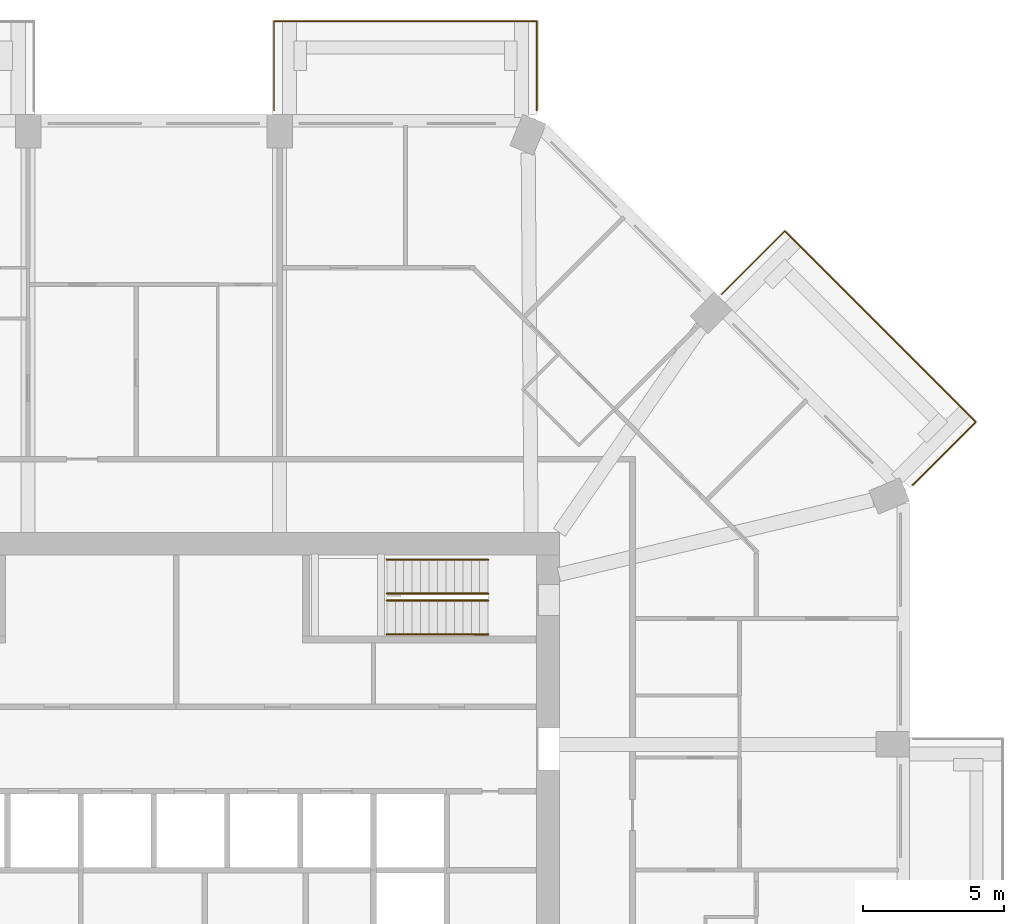
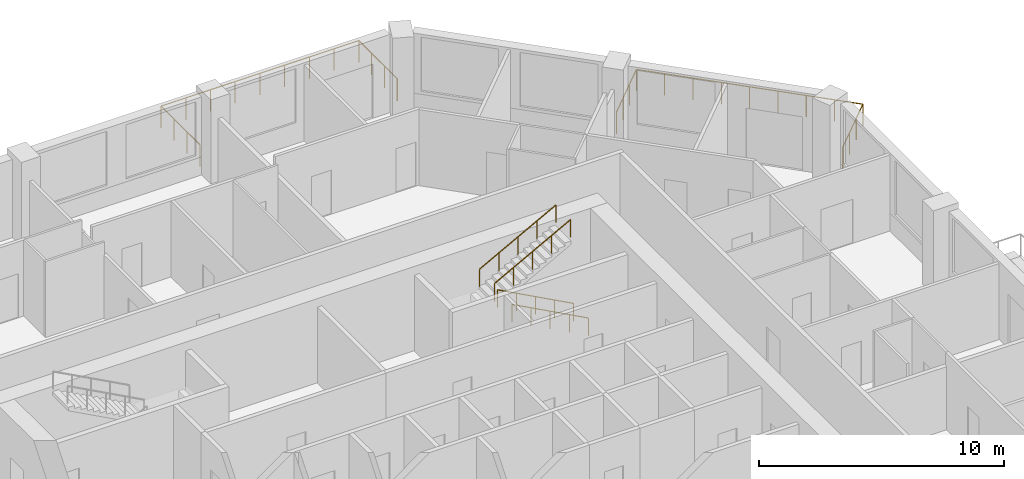
# One storey, part 13 of 13: 6 railings.
"""IFC4 building model written with IfcOpenShell, lengths in metres."""

from ifc_helpers import new_model, si_unit, direction, frame, origin, origin_2d, place, context, subcontext, project, spatial, circle, extrude, material, constituent, constituent_set, type_object, element, save


model = new_model("IFC4")

# Units and contexts
model_context = context("Model", 3, precision=1e-05, world=origin(), true_north=direction((0.0, 1.0)))
body_context = subcontext(model_context, "Body", "Model", "MODEL_VIEW")
ifc_project = project(units=[si_unit("LENGTHUNIT", "METRE"), si_unit("AREAUNIT", "SQUARE_METRE"), si_unit("VOLUMEUNIT", "CUBIC_METRE"), si_unit("PLANEANGLEUNIT", "RADIAN"), si_unit("MASSUNIT", "GRAM", prefix="KILO")], contexts=[model_context])

# Site, building, storey
site_placement = place(None, origin())
site = spatial("IfcSite", under=ifc_project, at=site_placement, CompositionType="ELEMENT")
building_placement = place(site_placement, origin())
building = spatial("IfcBuilding", under=site, at=building_placement, Name="Msitu Wima Residences", CompositionType="ELEMENT")
storey_placement = place(building_placement, frame((0.0, 0.0, 152.699951171875)))
storey = spatial("IfcBuildingStorey", under=building, at=storey_placement, Name="L35", CompositionType="ELEMENT", Elevation=152.699951171875)

# Railings
ifc_material_1 = material(Name="Steel S355", Category="steel")
ifc_constituent_1 = constituent(ifc_material_1, Name="Steel S355")
ifc_material_2 = material(Name="Weathering patina")
ifc_constituent_2 = constituent(ifc_material_2, Name="Weathering patina")
ifc_constituent_set_1 = constituent_set(constituents=[ifc_constituent_1, ifc_constituent_2], Name="Steel S355")
railing_type_1 = type_object("IfcRailingType", Name="Balcony guard GR1100", PredefinedType="GUARDRAIL", material=ifc_constituent_set_1)
railing_1_placement = place(storey_placement, frame((20.171630859375, 20.45458984375, 0.0)))
element("IfcRailing", 1, at=railing_1_placement, inside=storey, type_object=railing_type_1, Name="Balcony guard NE0 L35", PredefinedType="GUARDRAIL", context=body_context, shape_type="SweptSolid", body=[
    extrude(circle(Radius=0.02392578125, at=origin_2d()), frame((0.0, 0.0, 1.076171875), z_axis=(0.707106781187, 0.707106781187, 0.0), x_axis=(-0.707106781187, 0.707106781187, 0.0)), (0.0, 0.0, 1.0), 3.169921875),
    extrude(circle(Radius=0.02392578125, at=origin_2d()), frame((2.241455078125, 2.241455078125, 1.076171875), z_axis=(0.707106781187, -0.707106781187, 0.0), x_axis=(0.707106781187, 0.707106781187, 0.0)), (0.0, 0.0, 1.0), 9.58837890625),
    extrude(circle(Radius=0.02392578125, at=origin_2d()), frame((9.021484375, -4.53857421875, 1.076171875), z_axis=(-0.707106781187, -0.707106781187, 0.0), x_axis=(0.707106781187, -0.707106781187, 0.0)), (0.0, 0.0, 1.0), 3.136474609375),
    extrude(circle(Radius=0.02392578125, at=origin_2d()), frame((6.8037109375, -6.75634765625, 1.076171875), z_axis=(-0.92426142649, -0.38176015442, 0.0), x_axis=(0.38176015442, -0.92426142649, 0.0)), (0.0, 0.0, 1.0), 0.036376953125),
    extrude(circle(Radius=0.02099609375, at=origin_2d()), origin(), (0.0, 0.0, 1.0), 1.052001953125),
    extrude(circle(Radius=0.02099609375, at=origin_2d()), frame((0.7470703125, 0.7470703125, 0.0)), (0.0, 0.0, 1.0), 1.052001953125),
    extrude(circle(Radius=0.02099609375, at=origin_2d()), frame((1.494384765625, 1.494384765625, 0.0)), (0.0, 0.0, 1.0), 1.052001953125),
    extrude(circle(Radius=0.02099609375, at=origin_2d()), frame((2.241455078125, 2.241455078125, 0.0)), (0.0, 0.0, 1.0), 1.052001953125),
    extrude(circle(Radius=0.02099609375, at=origin_2d()), frame((3.0888671875, 1.39404296875, 0.0)), (0.0, 0.0, 1.0), 1.052001953125),
    extrude(circle(Radius=0.02099609375, at=origin_2d()), frame((3.9365234375, 0.54638671875, 0.0)), (0.0, 0.0, 1.0), 1.052001953125),
    extrude(circle(Radius=0.02099609375, at=origin_2d()), frame((4.783935546875, -0.301025390625, 0.0)), (0.0, 0.0, 1.0), 1.052001953125),
    extrude(circle(Radius=0.02099609375, at=origin_2d()), frame((5.63134765625, -1.1484375, 0.0)), (0.0, 0.0, 1.0), 1.052001953125),
    extrude(circle(Radius=0.02099609375, at=origin_2d()), frame((6.47900390625, -1.99609375, 0.0)), (0.0, 0.0, 1.0), 1.052001953125),
    extrude(circle(Radius=0.02099609375, at=origin_2d()), frame((7.326416015625, -2.843505859375, 0.0)), (0.0, 0.0, 1.0), 1.052001953125),
    extrude(circle(Radius=0.02099609375, at=origin_2d()), frame((8.174072265625, -3.691162109375, 0.0)), (0.0, 0.0, 1.0), 1.052001953125),
    extrude(circle(Radius=0.02099609375, at=origin_2d()), frame((9.021484375, -4.53857421875, 0.0)), (0.0, 0.0, 1.0), 1.052001953125),
    extrude(circle(Radius=0.02099609375, at=origin_2d()), frame((8.2822265625, -5.27783203125, 0.0)), (0.0, 0.0, 1.0), 1.052001953125),
    extrude(circle(Radius=0.02099609375, at=origin_2d()), frame((7.54296875, -6.01708984375, 0.0)), (0.0, 0.0, 1.0), 1.052001953125),
    extrude(circle(Radius=0.02099609375, at=origin_2d()), frame((6.8037109375, -6.75634765625, 0.0)), (0.0, 0.0, 1.0), 1.052001953125),
    extrude(circle(Radius=0.02099609375, at=origin_2d()), frame((6.77001953125, -6.770263671875, 0.0)), (0.0, 0.0, 1.0), 1.052001953125),
])
railing_2_placement = place(storey_placement, frame((4.2685546875, 26.97998046875, 0.0)))
element("IfcRailing", 2, at=railing_2_placement, inside=storey, type_object=railing_type_1, Name="Balcony guard N0 L35", PredefinedType="GUARDRAIL", context=body_context, shape_type="SweptSolid", body=[
    extrude(circle(Radius=0.02392578125, at=origin_2d()), frame((0.0, 0.0, 1.076171875), z_axis=(0.0, 1.0, 0.0), x_axis=(-1.0, 0.0, 0.0)), (0.0, 0.0, 1.0), 3.169921875),
    extrude(circle(Radius=0.02392578125, at=origin_2d()), frame((0.0, 3.169921875, 1.076171875), z_axis=(1.0, 0.0, 0.0), x_axis=(0.0, 1.0, 0.0)), (0.0, 0.0, 1.0), 9.33740234375),
    extrude(circle(Radius=0.02392578125, at=origin_2d()), frame((9.33740234375, 3.169921875, 1.076171875), z_axis=(0.0, -1.0, 0.0), x_axis=(1.0, 0.0, 0.0)), (0.0, 0.0, 1.0), 3.136474609375),
    extrude(circle(Radius=0.02392578125, at=origin_2d()), frame((9.33740234375, 0.033447265625, 1.076171875), z_axis=(-0.384136806859, -0.923276184907, 0.0), x_axis=(0.923276184907, -0.384136806859, 0.0)), (0.0, 0.0, 1.0), 0.0361328125),
    extrude(circle(Radius=0.02099609375, at=origin_2d()), origin(), (0.0, 0.0, 1.0), 1.052001953125),
    extrude(circle(Radius=0.02099609375, at=origin_2d()), frame((0.0, 1.056640625, 0.0)), (0.0, 0.0, 1.0), 1.052001953125),
    extrude(circle(Radius=0.02099609375, at=origin_2d()), frame((0.0, 2.11328125, 0.0)), (0.0, 0.0, 1.0), 1.052001953125),
    extrude(circle(Radius=0.02099609375, at=origin_2d()), frame((0.0, 3.169921875, 0.0)), (0.0, 0.0, 1.0), 1.052001953125),
    extrude(circle(Radius=0.02099609375, at=origin_2d()), frame((1.167236328125, 3.169921875, 0.0)), (0.0, 0.0, 1.0), 1.052001953125),
    extrude(circle(Radius=0.02099609375, at=origin_2d()), frame((2.33447265625, 3.169921875, 0.0)), (0.0, 0.0, 1.0), 1.052001953125),
    extrude(circle(Radius=0.02099609375, at=origin_2d()), frame((3.50146484375, 3.169921875, 0.0)), (0.0, 0.0, 1.0), 1.052001953125),
    extrude(circle(Radius=0.02099609375, at=origin_2d()), frame((4.668701171875, 3.169921875, 0.0)), (0.0, 0.0, 1.0), 1.052001953125),
    extrude(circle(Radius=0.02099609375, at=origin_2d()), frame((5.8359375, 3.169921875, 0.0)), (0.0, 0.0, 1.0), 1.052001953125),
    extrude(circle(Radius=0.02099609375, at=origin_2d()), frame((7.0029296875, 3.169921875, 0.0)), (0.0, 0.0, 1.0), 1.052001953125),
    extrude(circle(Radius=0.02099609375, at=origin_2d()), frame((8.170166015625, 3.169921875, 0.0)), (0.0, 0.0, 1.0), 1.052001953125),
    extrude(circle(Radius=0.02099609375, at=origin_2d()), frame((9.33740234375, 3.169921875, 0.0)), (0.0, 0.0, 1.0), 1.052001953125),
    extrude(circle(Radius=0.02099609375, at=origin_2d()), frame((9.33740234375, 2.12451171875, 0.0)), (0.0, 0.0, 1.0), 1.052001953125),
    extrude(circle(Radius=0.02099609375, at=origin_2d()), frame((9.33740234375, 1.078857421875, 0.0)), (0.0, 0.0, 1.0), 1.052001953125),
    extrude(circle(Radius=0.02099609375, at=origin_2d()), frame((9.33740234375, 0.033447265625, 0.0)), (0.0, 0.0, 1.0), 1.052001953125),
    extrude(circle(Radius=0.02099609375, at=origin_2d()), frame((9.323486328125, 0.0, 0.0)), (0.0, 0.0, 1.0), 1.052001953125),
])
ifc_constituent_3 = constituent(ifc_material_1, Name="Steel S355")
ifc_material_3 = material(Name="Black powder coating")
ifc_constituent_4 = constituent(ifc_material_3, Name="Black powder coating")
ifc_constituent_set_2 = constituent_set(constituents=[ifc_constituent_3, ifc_constituent_4], Name="Steel S355")
railing_type_2 = type_object("IfcRailingType", Name="Stair handrail HR1", PredefinedType="HANDRAIL", material=ifc_constituent_set_2)
for number, where, name in (
    (3, (11.875, 8.375, 0.16162109375), "Stair 3 handrail"),
    (4, (11.875, 9.574951171875, 0.16162109375), "Stair 3 handrail"),
):
    element("IfcRailing", number, at=place(storey_placement, frame(where)), inside=storey, type_object=railing_type_2, Name=name, PredefinedType="HANDRAIL", context=body_context, shape_type="SweptSolid", body=[
        extrude(circle(Radius=0.02392578125, at=origin_2d()), frame((0.0, 0.0, 0.8759765625), z_axis=(-0.880474934443, 0.0, 0.474092701714), x_axis=(0.0, -1.0, 0.0)), (0.0, 0.0, 1.0), 4.0888671875),
        extrude(circle(Radius=0.02099609375, at=origin_2d()), origin(), (0.0, 0.0, 1.0), 0.851806640625),
        extrude(circle(Radius=0.02099609375, at=origin_2d()), frame((-0.89990234375, 0.0, 0.484619140625)), (0.0, 0.0, 1.0), 0.851806640625),
        extrude(circle(Radius=0.02099609375, at=origin_2d()), frame((-1.800048828125, 0.0, 0.96923828125)), (0.0, 0.0, 1.0), 0.851806640625),
        extrude(circle(Radius=0.02099609375, at=origin_2d()), frame((-2.7001953125, 0.0, 1.453857421875)), (0.0, 0.0, 1.0), 0.851806640625),
        extrude(circle(Radius=0.02099609375, at=origin_2d()), frame((-3.60009765625, 0.0, 1.9384765625)), (0.0, 0.0, 1.0), 0.851806640625),
    ])
for number, where, name in (
    (5, (8.27490234375, 9.824951171875, 2.261474609375), "Stair 3 handrail"),
    (6, (8.27490234375, 11.02490234375, 2.261474609375), "Stair 3 handrail"),
):
    element("IfcRailing", number, at=place(storey_placement, frame(where)), inside=storey, type_object=railing_type_2, Name=name, PredefinedType="HANDRAIL", context=body_context, shape_type="SweptSolid", body=[
        extrude(circle(Radius=0.02392578125, at=origin_2d()), frame((0.0, 0.0, 0.8759765625), z_axis=(0.880474934443, 0.0, 0.474092701714), x_axis=(0.0, 1.0, 0.0)), (0.0, 0.0, 1.0), 4.0888671875),
        extrude(circle(Radius=0.02099609375, at=origin_2d()), origin(), (0.0, 0.0, 1.0), 0.851806640625),
        extrude(circle(Radius=0.02099609375, at=origin_2d()), frame((0.89990234375, 0.0, 0.484619140625)), (0.0, 0.0, 1.0), 0.851806640625),
        extrude(circle(Radius=0.02099609375, at=origin_2d()), frame((1.800048828125, 0.0, 0.96923828125)), (0.0, 0.0, 1.0), 0.851806640625),
        extrude(circle(Radius=0.02099609375, at=origin_2d()), frame((2.7001953125, 0.0, 1.453857421875)), (0.0, 0.0, 1.0), 0.851806640625),
        extrude(circle(Radius=0.02099609375, at=origin_2d()), frame((3.60009765625, 0.0, 1.9384765625)), (0.0, 0.0, 1.0), 0.851806640625),
    ])

save(model, "model.ifc")
